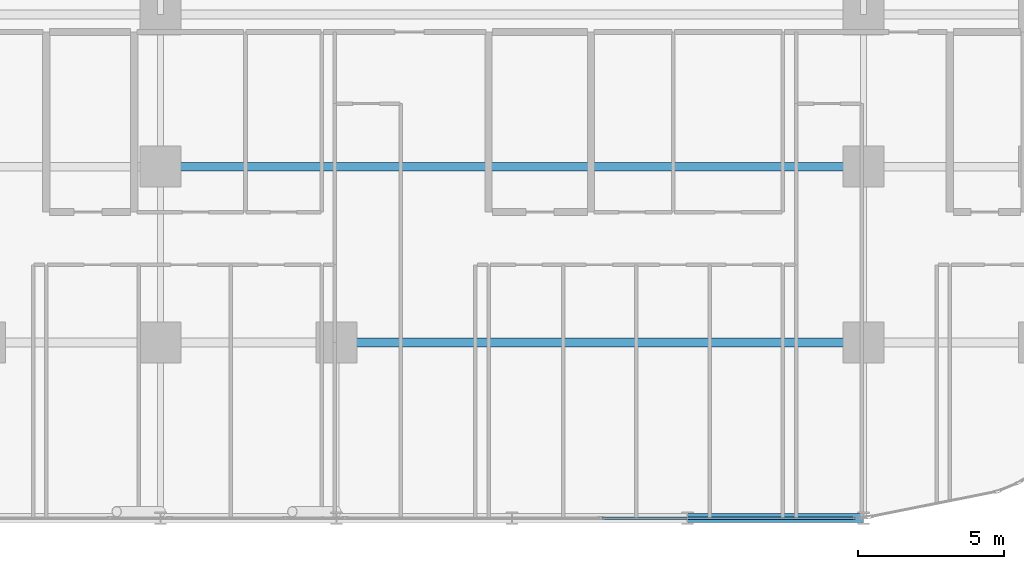
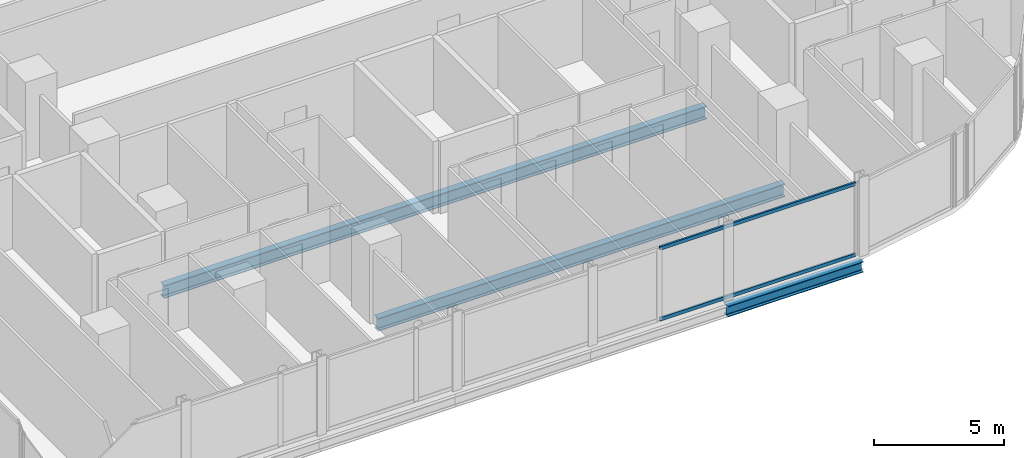
# One storey, part 8 of 33: 3 beams, 2 members, 1 element without a shape of its own.
"""IFC4 building model written with IfcOpenShell, lengths in metres."""

from ifc_helpers import new_model, si_unit, direction, frame, origin, origin_2d, place, context, subcontext, project, spatial, hollow_rectangle, i_section, extrude, material, layer, layer_set, material_profile, profile_set, type_object, element, aggregate, save


model = new_model("IFC4")

# Units and contexts
model_context = context("Model", 3, precision=1e-05, world=origin(), true_north=direction((0.0, 1.0)))
body_context = subcontext(model_context, "Body", "Model", "MODEL_VIEW")
ifc_project = project(units=[si_unit("LENGTHUNIT", "METRE"), si_unit("AREAUNIT", "SQUARE_METRE"), si_unit("VOLUMEUNIT", "CUBIC_METRE"), si_unit("PLANEANGLEUNIT", "RADIAN"), si_unit("MASSUNIT", "GRAM", prefix="KILO")], contexts=[model_context])

# Site, building, storey
site_placement = place(None, origin())
site = spatial("IfcSite", under=ifc_project, at=site_placement, CompositionType="ELEMENT")
building_placement = place(site_placement, origin())
building = spatial("IfcBuilding", under=site, at=building_placement, Name="Keshet Zoharim Tower", CompositionType="ELEMENT")
storey_placement = place(building_placement, frame((0.0, 0.0, 27.699951171875)))
storey = spatial("IfcBuildingStorey", under=building, at=storey_placement, Name="L05", CompositionType="ELEMENT", Elevation=27.699951171875)

# Beams
ifc_material_1 = material(Name="Steel S355", Category="steel")
ifc_material_profile_1 = material_profile(ifc_material_1, i_section(OverallWidth=0.300048828125, OverallDepth=0.60009765625, WebThickness=0.015380859375, FlangeThickness=0.030029296875, FilletRadius=0.027099609375, at=origin_2d()), Name="HEB600")
ifc_profile_set_1 = profile_set([ifc_material_profile_1], Name="Steel S355")
beam_type_1 = type_object("IfcBeamType", Name="BM-LNG-HB600", PredefinedType="BEAM", material=ifc_profile_set_1)
beam_1_placement = place(storey_placement, frame((39.0, 6.699951171875, -0.614990234375), z_axis=(1.0, 0.0, 0.0), x_axis=(0.0, 1.0, 0.0)))
element("IfcBeam", 1, at=beam_1_placement, inside=storey, type_object=beam_type_1, Name="L05 Primary Girder X-009", PredefinedType="BEAM", context=body_context, shape_type="SweptSolid", body=[
    extrude(i_section(OverallWidth=0.300048828125, OverallDepth=0.60009765625, WebThickness=0.015380859375, FlangeThickness=0.030029296875, FilletRadius=0.027099609375, at=origin_2d()), origin(), (0.0, 0.0, 1.0), 18.0),
])
beam_2_placement = place(storey_placement, frame((33.0, 12.699951171875, -0.614990234375), z_axis=(1.0, 0.0, 0.0), x_axis=(0.0, 1.0, 0.0)))
element("IfcBeam", 2, at=beam_2_placement, inside=storey, type_object=beam_type_1, Name="L05 Primary Girder X-012", PredefinedType="BEAM", context=body_context, shape_type="SweptSolid", body=[
    extrude(i_section(OverallWidth=0.300048828125, OverallDepth=0.60009765625, WebThickness=0.015380859375, FlangeThickness=0.030029296875, FilletRadius=0.027099609375, at=origin_2d()), origin(), (0.0, 0.0, 1.0), 24.0),
])
ifc_material_profile_2 = material_profile(ifc_material_1, i_section(OverallWidth=0.300048828125, OverallDepth=0.5, WebThickness=0.014404296875, FlangeThickness=0.028076171875, FilletRadius=0.027099609375, at=origin_2d()), Name="HEB500")
ifc_profile_set_2 = profile_set([ifc_material_profile_2], Name="Steel S355")
beam_type_2 = type_object("IfcBeamType", Name="BM-WEB-HB500", PredefinedType="BEAM", material=ifc_profile_set_2)
beam_3_placement = place(storey_placement, frame((51.0, 0.699951171875, -0.56494140625), z_axis=(1.0, 0.0, 0.0), x_axis=(0.0, 1.0, 0.0)))
element("IfcBeam", 3, at=beam_3_placement, inside=storey, type_object=beam_type_2, Name="L05 Primary Girder X-005", PredefinedType="BEAM", context=body_context, shape_type="SweptSolid", body=[
    extrude(i_section(OverallWidth=0.300048828125, OverallDepth=0.5, WebThickness=0.014404296875, FlangeThickness=0.028076171875, FilletRadius=0.027099609375, at=origin_2d()), origin(), (0.0, 0.0, 1.0), 6.0),
])

# Curtain wall, members
ifc_material_2 = material(Name="Aluminium 6063-T6", Category="aluminium")
ifc_layer = layer(ifc_material_2, 0.179931640625)
ifc_layer_set = layer_set([ifc_layer], Name="Aluminium 6063-T6")
curtain_wall_type = type_object("IfcCurtainWallType", Name="CW-SYS-01", PredefinedType="NOTDEFINED", material=ifc_layer_set)
curtain_wall_placement = place(storey_placement, origin())
curtain_wall = element("IfcCurtainWall", 4, at=curtain_wall_placement, inside=storey, type_object=curtain_wall_type, Name="L05 Unitised Curtain Wall 26", PredefinedType="NOTDEFINED")
ifc_material_profile_3 = material_profile(ifc_material_2, hollow_rectangle(XDim=0.0849609375, YDim=0.159912109375, WallThickness=0.00439453125, at=origin_2d()), Name="TRN-85x160")
ifc_profile_set_3 = profile_set([ifc_material_profile_3], Name="Aluminium 6063-T6")
member_type = type_object("IfcMemberType", Name="CWT-T16", PredefinedType="USERDEFINED", material=ifc_profile_set_3)
member_1_placement = place(storey_placement, frame((56.73291015625, 0.699951171875, 0.03515625), z_axis=(-1.0, 0.0, 0.0), x_axis=(0.0, -1.0, 0.0)))
member_1 = element("IfcMember", 5, at=member_1_placement, type_object=member_type, Name="CW-01 transom 1.1", ObjectType="TRANSOM", PredefinedType="USERDEFINED", context=body_context, shape_type="SweptSolid", body=[
    extrude(hollow_rectangle(XDim=0.0849609375, YDim=0.159912109375, WallThickness=0.00439453125, at=origin_2d()), origin(), (0.0, 0.0, 1.0), 8.6650390625),
])
member_2_placement = place(storey_placement, frame((56.73291015625, 0.699951171875, 3.35009765625), z_axis=(-1.0, 0.0, 0.0), x_axis=(0.0, -1.0, 0.0)))
member_2 = element("IfcMember", 6, at=member_2_placement, type_object=member_type, Name="CW-01 transom 1.2", ObjectType="TRANSOM", PredefinedType="USERDEFINED", context=body_context, shape_type="SweptSolid", body=[
    extrude(hollow_rectangle(XDim=0.0849609375, YDim=0.159912109375, WallThickness=0.00439453125, at=origin_2d()), origin(), (0.0, 0.0, 1.0), 8.6650390625),
])
aggregate(curtain_wall, [member_1, member_2])

save(model, "model.ifc")
